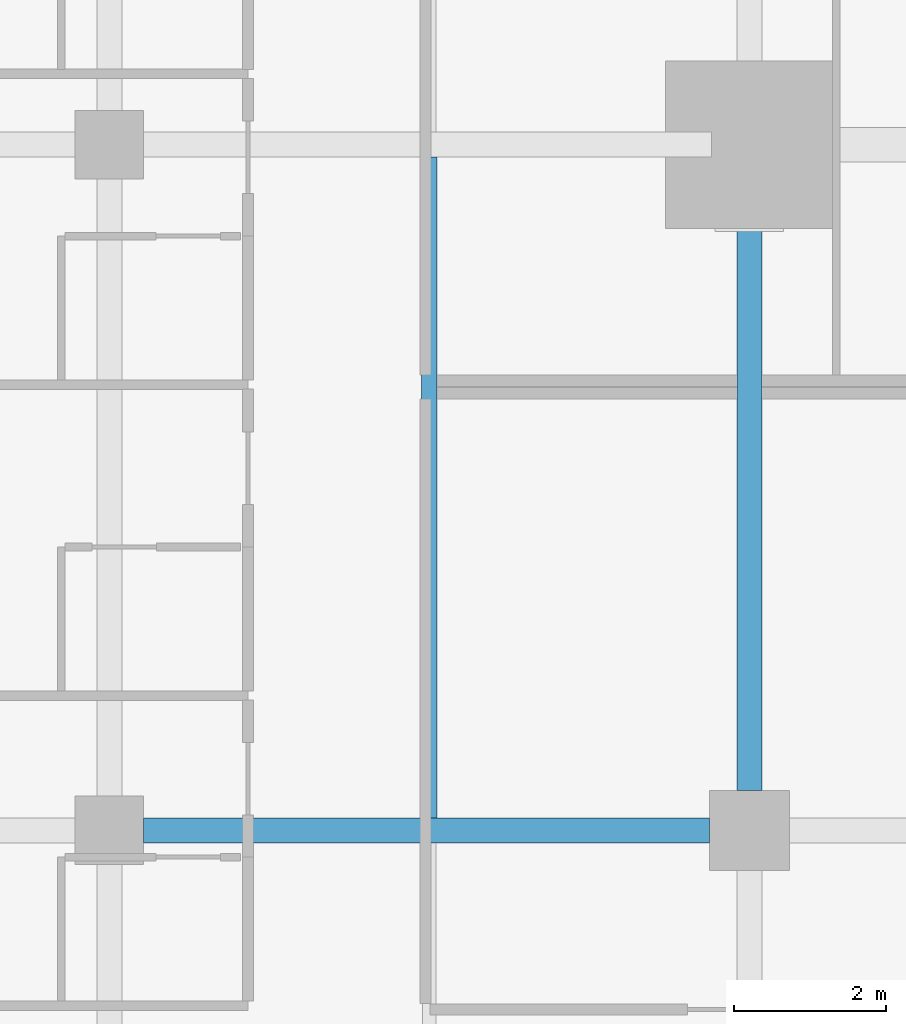
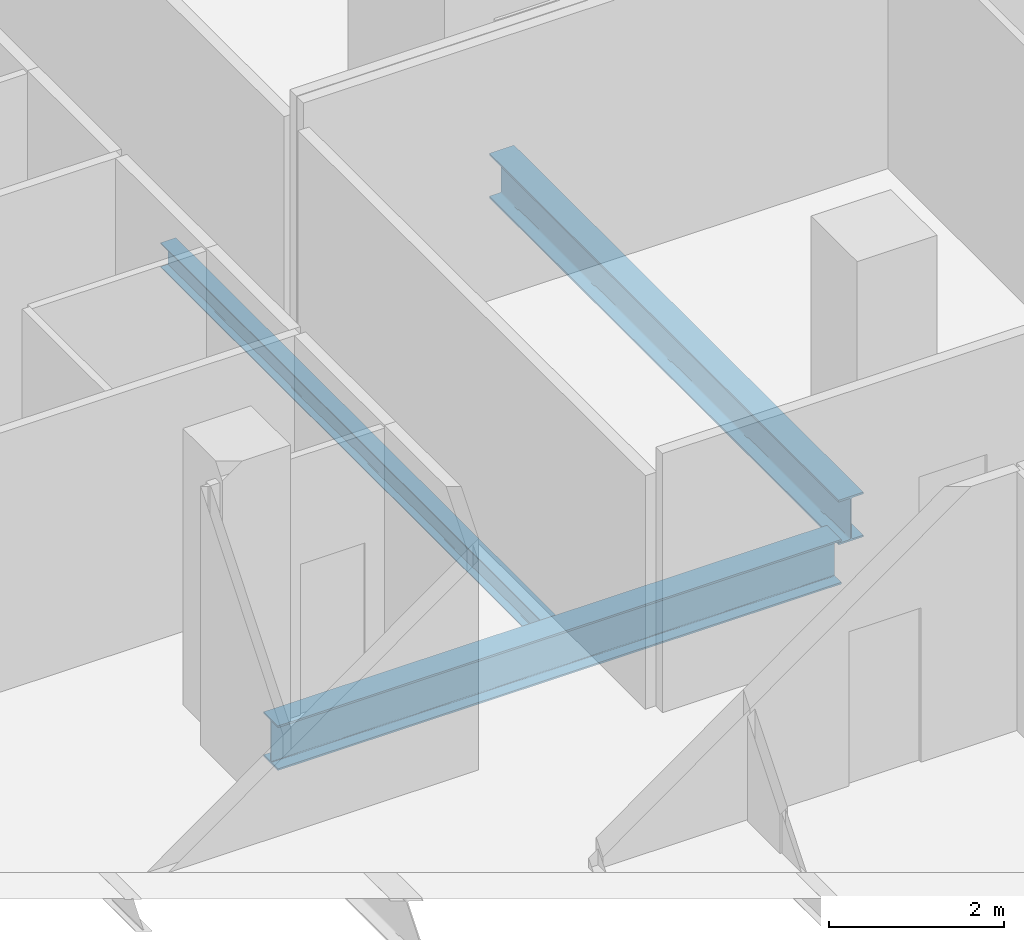
# One storey, part 11 of 41: 3 beams.
"""IFC4 building model written with IfcOpenShell, lengths in metres."""

from ifc_helpers import new_model, si_unit, direction, frame, origin, origin_2d, place, context, subcontext, project, spatial, i_section, extrude, material, material_profile, profile_set, type_object, element, save


model = new_model("IFC4")

# Units and contexts
model_context = context("Model", 3, precision=1e-05, world=origin(), true_north=direction((0.0, 1.0)))
body_context = subcontext(model_context, "Body", "Model", "MODEL_VIEW")
ifc_project = project(units=[si_unit("LENGTHUNIT", "METRE"), si_unit("AREAUNIT", "SQUARE_METRE"), si_unit("VOLUMEUNIT", "CUBIC_METRE"), si_unit("PLANEANGLEUNIT", "RADIAN"), si_unit("MASSUNIT", "GRAM", prefix="KILO")], contexts=[model_context])

# Site, building, storey
site_placement = place(None, origin())
site = spatial("IfcSite", under=ifc_project, at=site_placement, CompositionType="ELEMENT")
building_placement = place(site_placement, origin())
building = spatial("IfcBuilding", under=site, at=building_placement, Name="Maruvema Waterfront Hotel and Observation Tower", CompositionType="ELEMENT")
storey_placement = place(building_placement, frame((0.0, 0.0, 61.60009765625)))
storey = spatial("IfcBuildingStorey", under=building, at=storey_placement, Name="L14", CompositionType="ELEMENT", Elevation=61.60009765625)

# Beams
ifc_material_1 = material(Name="Steel ASTM A572 Grade 50", Category="steel")
ifc_material_profile_1 = material_profile(ifc_material_1, i_section(OverallWidth=0.326904296875, OverallDepth=0.6220703125, WebThickness=0.015380859375, FlangeThickness=0.0244140625, FilletRadius=0.01806640625, at=origin_2d()), Name="W610x195.0")
ifc_profile_set_1 = profile_set([ifc_material_profile_1], Name="Steel ASTM A572 Grade 50")
beam_type_1 = type_object("IfcBeamType", Name="Primary Floor Girder W610x195.0", PredefinedType="BEAM", material=ifc_profile_set_1)
beam_1_placement = place(storey_placement, frame((17.25, 18.0, -0.551025390625), z_axis=(1.0, 0.0, 0.0), x_axis=(0.0, 1.0, 0.0)))
element("IfcBeam", 1, at=beam_1_placement, inside=storey, type_object=beam_type_1, Name="L14 Floor Girder EW-14", PredefinedType="BEAM", context=body_context, shape_type="SweptSolid", body=[
    extrude(i_section(OverallWidth=0.326904296875, OverallDepth=0.6220703125, WebThickness=0.015380859375, FlangeThickness=0.0244140625, FilletRadius=0.01806640625, at=origin_2d()), origin(), (0.0, 0.0, 1.0), 7.425048828125),
])
beam_2_placement = place(storey_placement, frame((25.199951171875, 18.52490234375, -0.551025390625), z_axis=(0.0, 1.0, 0.0), x_axis=(-1.0, 0.0, 0.0)))
element("IfcBeam", 2, at=beam_2_placement, inside=storey, type_object=beam_type_1, Name="L14 Floor Girder NS-13", PredefinedType="BEAM", context=body_context, shape_type="SweptSolid", body=[
    extrude(i_section(OverallWidth=0.326904296875, OverallDepth=0.6220703125, WebThickness=0.015380859375, FlangeThickness=0.0244140625, FilletRadius=0.01806640625, at=origin_2d()), origin(), (0.0, 0.0, 1.0), 7.97509765625),
])
ifc_material_2 = material(Name="Steel ASTM A572 Grade 50", Category="steel")
ifc_material_profile_2 = material_profile(ifc_material_2, i_section(OverallWidth=0.202880859375, OverallDepth=0.346923828125, WebThickness=0.0078125, FlangeThickness=0.013427734375, FilletRadius=0.014892578125, at=origin_2d()), Name="W360x64.0")
ifc_profile_set_2 = profile_set([ifc_material_profile_2], Name="Steel ASTM A572 Grade 50")
beam_type_2 = type_object("IfcBeamType", Name="Secondary Floor Joist W360x64.0", PredefinedType="JOIST", material=ifc_profile_set_2)
beam_3_placement = place(storey_placement, frame((21.0, 18.16357421875, -0.41357421875), z_axis=(0.0, 1.0, 0.0), x_axis=(-1.0, 0.0, 0.0)))
element("IfcBeam", 3, at=beam_3_placement, inside=storey, type_object=beam_type_2, Name="L14 Secondary Floor Joist JS-07", PredefinedType="JOIST", context=body_context, shape_type="SweptSolid", body=[
    extrude(i_section(OverallWidth=0.202880859375, OverallDepth=0.346923828125, WebThickness=0.0078125, FlangeThickness=0.013427734375, FilletRadius=0.014892578125, at=origin_2d()), origin(), (0.0, 0.0, 1.0), 8.6728515625),
])

save(model, "model.ifc")
